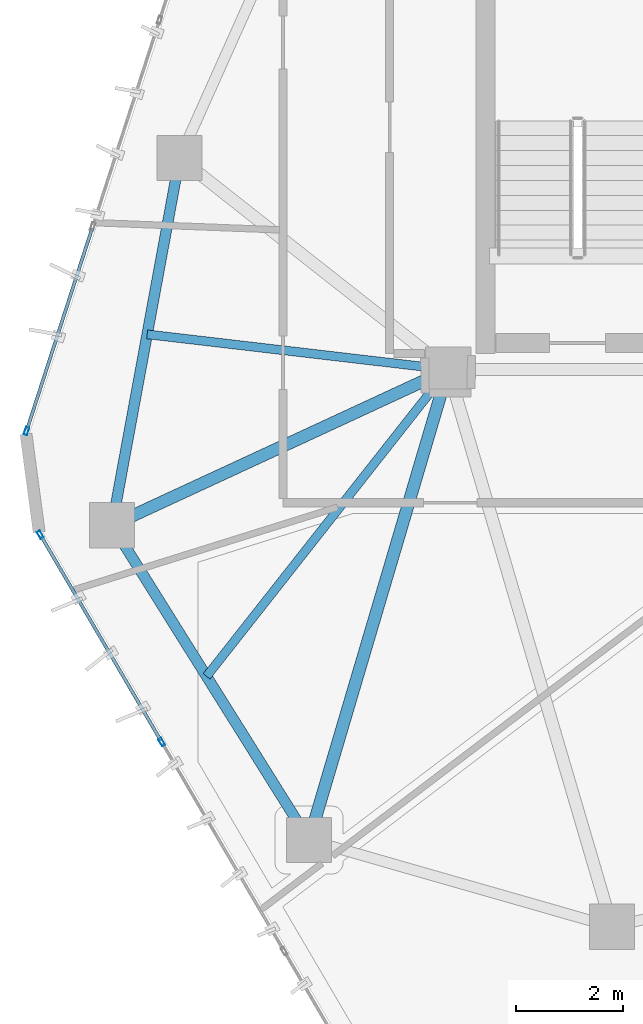
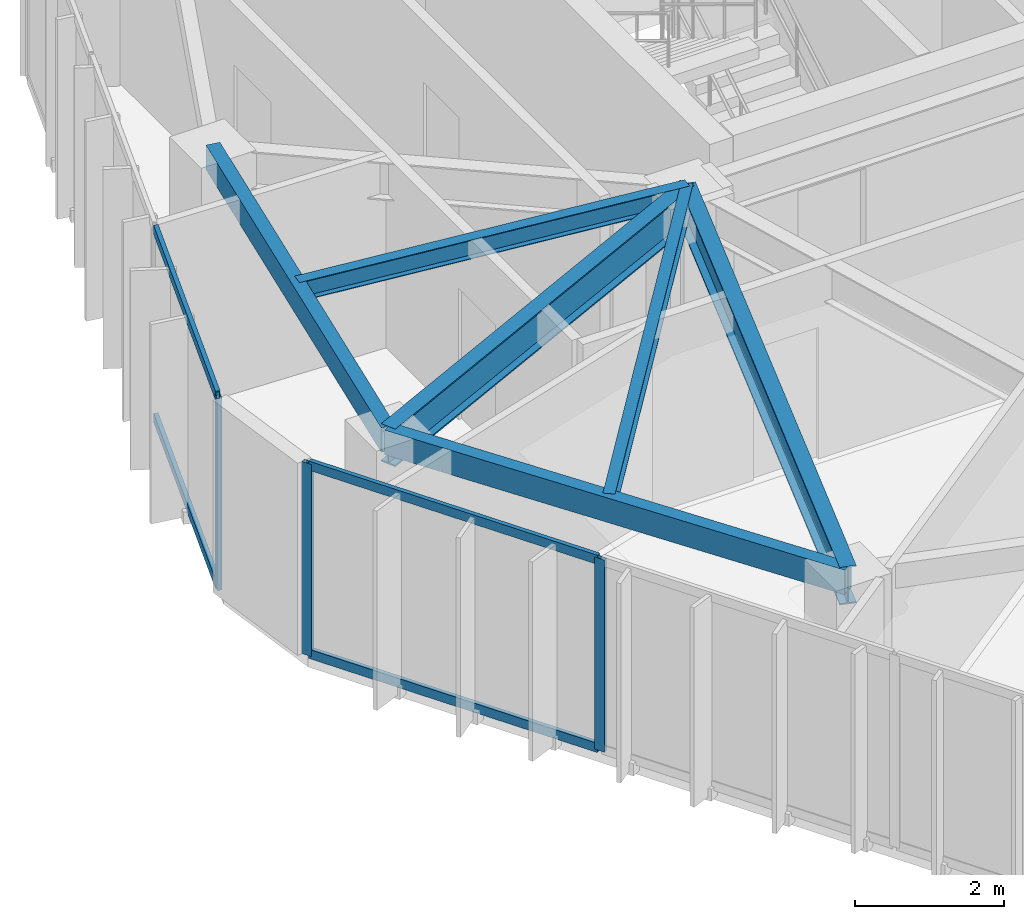
# One storey, part 4 of 20: 7 members, 6 beams, 2 elements without a shape of their own.
"""IFC4 building model written with IfcOpenShell, lengths in metres."""

from ifc_helpers import new_model, si_unit, direction, frame, origin, origin_2d, place, context, subcontext, project, spatial, hollow_rectangle, i_section, extrude, source, transform, mapped, material, layer, layer_set, material_profile, profile_set, type_object, type_shapes, element, aggregate, save


model = new_model("IFC4")

# Units and contexts
model_context = context("Model", 3, precision=1e-05, world=origin(), true_north=direction((0.0, 1.0)))
body_context = subcontext(model_context, "Body", "Model", "MODEL_VIEW")
ifc_project = project(units=[si_unit("LENGTHUNIT", "METRE"), si_unit("AREAUNIT", "SQUARE_METRE"), si_unit("VOLUMEUNIT", "CUBIC_METRE"), si_unit("PLANEANGLEUNIT", "RADIAN"), si_unit("MASSUNIT", "GRAM", prefix="KILO")], contexts=[model_context])

# Site, building, storey
site_placement = place(None, origin())
site = spatial("IfcSite", under=ifc_project, at=site_placement, CompositionType="ELEMENT")
building_placement = place(site_placement, origin())
building = spatial("IfcBuilding", under=site, at=building_placement, Name="Talar Marvaseh", CompositionType="ELEMENT")
storey_placement = place(building_placement, frame((0.0, 0.0, 261.199951171875)))
storey = spatial("IfcBuildingStorey", under=building, at=storey_placement, Name="L69", CompositionType="ELEMENT", Elevation=261.199951171875)

# Beams
ifc_material_1 = material(Name="Steel S355", Category="steel")
ifc_material_profile_1 = material_profile(ifc_material_1, hollow_rectangle(XDim=0.199951171875, YDim=0.39990234375, WallThickness=0.013916015625, at=origin_2d()), Name="RHS400x200x14")
ifc_profile_set_1 = profile_set([ifc_material_profile_1], Name="Steel S355")
beam_type_1 = type_object("IfcBeamType", Name="Zone 3 Perimeter Spandrel Beam RHS400x200x14", PredefinedType="SPANDREL", material=ifc_profile_set_1)
beam_1_placement = place(storey_placement, frame((12.388916015625, 22.576904296875, 2.93994140625), z_axis=(0.18106135948, 0.983471801377, 0.0), x_axis=(-0.983471801377, 0.18106135948, 0.0)))
element("IfcBeam", 1, at=beam_1_placement, inside=storey, type_object=beam_type_1, Name="L69 Zone 3 Perimeter Spandrel Beam RHS400x200x14", PredefinedType="SPANDREL", context=body_context, shape_type="SweptSolid", body=[
    extrude(hollow_rectangle(XDim=0.199951171875, YDim=0.39990234375, WallThickness=0.013916015625, at=origin_2d()), origin(), (0.0, 0.0, 1.0), 7.0087890625),
])
beam_2_placement = place(storey_placement, frame((16.0869140625, 16.66796875, 2.93994140625), z_axis=(-0.530505706813, 0.847681364098, 0.0), x_axis=(-0.847681364098, -0.530505706813, 0.0)))
element("IfcBeam", 2, at=beam_2_placement, inside=storey, type_object=beam_type_1, Name="L69 Zone 3 Perimeter Spandrel Beam RHS400x200x14", PredefinedType="SPANDREL", context=body_context, shape_type="SweptSolid", body=[
    extrude(hollow_rectangle(XDim=0.199951171875, YDim=0.39990234375, WallThickness=0.013916015625, at=origin_2d()), origin(), (0.0, 0.0, 1.0), 6.970703125),
])
ifc_material_profile_2 = material_profile(ifc_material_1, i_section(OverallWidth=0.166015625, OverallDepth=0.31298828125, WebThickness=0.006591796875, FlangeThickness=0.01123046875, at=origin_2d()), Name="W310x45")
ifc_profile_set_2 = profile_set([ifc_material_profile_2], Name="Steel S355")
beam_type_2 = type_object("IfcBeamType", Name="Zone 3 Secondary Floor Joist W310x45", PredefinedType="JOIST", material=ifc_profile_set_2)
beam_3_placement = place(storey_placement, frame((13.048828125, 26.161376953125, 2.983642578125), z_axis=(0.993221011039, -0.116241228622, 0.0), x_axis=(0.116241228622, 0.993221011039, 0.0)))
element("IfcBeam", 3, at=beam_3_placement, inside=storey, type_object=beam_type_2, Name="L69 Zone 3 Secondary Floor Joist W310x45", PredefinedType="JOIST", context=body_context, shape_type="SweptSolid", body=[
    extrude(i_section(OverallWidth=0.166015625, OverallDepth=0.31298828125, WebThickness=0.006591796875, FlangeThickness=0.01123046875, at=origin_2d()), origin(), (0.0, 0.0, 1.0), 5.689697265625),
])
beam_4_placement = place(storey_placement, frame((14.1640625, 19.74072265625, 2.983642578125), z_axis=(0.618727137907, 0.785605962819, 0.0), x_axis=(-0.785605962819, 0.618727137907, 0.0)))
element("IfcBeam", 4, at=beam_4_placement, inside=storey, type_object=beam_type_2, Name="L69 Zone 3 Secondary Floor Joist W310x45", PredefinedType="JOIST", context=body_context, shape_type="SweptSolid", body=[
    extrude(i_section(OverallWidth=0.166015625, OverallDepth=0.31298828125, WebThickness=0.006591796875, FlangeThickness=0.01123046875, at=origin_2d()), origin(), (0.0, 0.0, 1.0), 7.3310546875),
])
ifc_material_profile_3 = material_profile(ifc_material_1, i_section(OverallWidth=0.22998046875, OverallDepth=0.616943359375, WebThickness=0.01318359375, FlangeThickness=0.022216796875, at=origin_2d()), Name="W610x140")
ifc_profile_set_3 = profile_set([ifc_material_profile_3], Name="Steel S355")
beam_type_3 = type_object("IfcBeamType", Name="Zone 4 Radial Floor Girder W610x140", PredefinedType="BEAM", material=ifc_profile_set_3)
beam_5_placement = place(storey_placement, frame((12.388916015625, 22.576904296875, 2.83154296875), z_axis=(0.907394527995, 0.420279871709, 0.0), x_axis=(-0.420279871709, 0.907394527995, 0.0)))
element("IfcBeam", 5, at=beam_5_placement, inside=storey, type_object=beam_type_3, Name="L69 Zone 4 Radial Floor Girder W610x140", PredefinedType="BEAM", context=body_context, shape_type="SweptSolid", body=[
    extrude(i_section(OverallWidth=0.22998046875, OverallDepth=0.616943359375, WebThickness=0.01318359375, FlangeThickness=0.022216796875, at=origin_2d()), origin(), (0.0, 0.0, 1.0), 6.955078125),
])
beam_6_placement = place(storey_placement, frame((16.0869140625, 16.66796875, 2.83154296875), z_axis=(0.283702937759, 0.958912218666, 0.0), x_axis=(-0.958912218666, 0.283702937759, 0.0)))
element("IfcBeam", 6, at=beam_6_placement, inside=storey, type_object=beam_type_3, Name="L69 Zone 4 Radial Floor Girder W610x140", PredefinedType="BEAM", context=body_context, shape_type="SweptSolid", body=[
    extrude(i_section(OverallWidth=0.22998046875, OverallDepth=0.616943359375, WebThickness=0.01318359375, FlangeThickness=0.022216796875, at=origin_2d()), origin(), (0.0, 0.0, 1.0), 9.21044921875),
])

# Curtain wall, members
ifc_material_2 = material(Name="Architectural Aluminium", Category="aluminium")
ifc_layer = layer(ifc_material_2, 0.179931640625)
ifc_layer_set = layer_set([ifc_layer], Name="Architectural Aluminium")
curtain_wall_type = type_object("IfcCurtainWallType", Name="Unitised High-Wind Sky Curtain Wall Z4", PredefinedType="NOTDEFINED", material=ifc_layer_set)
curtain_wall_1_placement = place(storey_placement, origin())
curtain_wall_1 = element("IfcCurtainWall", 7, at=curtain_wall_1_placement, inside=storey, type_object=curtain_wall_type, Name="L69 Unitised High-Wind Sky Curtain Wall Z4", PredefinedType="NOTDEFINED")
ifc_material_profile_4 = material_profile(ifc_material_2, hollow_rectangle(XDim=0.06494140625, YDim=0.14990234375, WallThickness=0.00390625, at=origin_2d()), Name="RHS150x65x4")
ifc_profile_set_4 = profile_set([ifc_material_profile_4], Name="Architectural Aluminium")
member_type_1 = type_object("IfcMemberType", Name="Unitised Curtain Wall Slim Transom RHS150x65x4", PredefinedType="USERDEFINED", material=ifc_profile_set_4)
shared_shape_1 = source(origin(), body_context, "Body", "SweptSolid", [
    extrude(hollow_rectangle(XDim=0.06494140625, YDim=0.14990234375, WallThickness=0.00390625, at=origin_2d()), origin(), (0.0, 0.0, 1.0), 4.447265625),
])
member_1_placement = place(storey_placement, frame((13.306884765625, 18.533935546875, 0.032470703125), z_axis=(-0.505222082809, 0.862989366703, 0.0), x_axis=(-0.862989366703, -0.505222082809, 0.0)))
member_1 = element("IfcMember", 8, at=member_1_placement, type_object=member_type_1, Name="CW-Z4 transom 3.1", ObjectType="TRANSOM", PredefinedType="USERDEFINED", context=body_context, shape_type="MappedRepresentation", body=[
    mapped(shared_shape_1, transform((0.0, 0.0, 0.0), x_axis=(1.0, 0.0, 0.0), y_axis=(0.0, 1.0, 0.0), z_axis=(0.0, 0.0, 1.0), scale=1.0)),
])
member_2_placement = place(storey_placement, frame((13.306884765625, 18.533935546875, 3.107666015625), z_axis=(-0.505222082809, 0.862989366703, 0.0), x_axis=(-0.862989366703, -0.505222082809, 0.0)))
member_2 = element("IfcMember", 9, at=member_2_placement, type_object=member_type_1, Name="CW-Z4 transom 3.2", ObjectType="TRANSOM", PredefinedType="USERDEFINED", context=body_context, shape_type="MappedRepresentation", body=[
    mapped(shared_shape_1, transform((0.0, 0.0, 0.0), x_axis=(1.0, 0.0, 0.0), y_axis=(0.0, 1.0, 0.0), z_axis=(0.0, 0.0, 1.0), scale=1.0)),
])

curtain_wall_2_placement = place(storey_placement, origin())
curtain_wall_2 = element("IfcCurtainWall", 10, at=curtain_wall_2_placement, inside=storey, type_object=curtain_wall_type, Name="L69 Unitised High-Wind Sky Curtain Wall Z4", PredefinedType="NOTDEFINED")
shared_shape_2 = source(origin(), body_context, "Body", "SweptSolid", [
    extrude(hollow_rectangle(XDim=0.06494140625, YDim=0.14990234375, WallThickness=0.00390625, at=origin_2d()), origin(), (0.0, 0.0, 1.0), 3.97119140625),
])
type_shapes(member_type_1, [shared_shape_1, shared_shape_2])
member_3_placement = place(storey_placement, frame((10.79541015625, 24.378662109375, 0.032470703125), z_axis=(0.307934859243, 0.95140744293, 0.0), x_axis=(-0.95140744293, 0.307934859243, 0.0)))
member_3 = element("IfcMember", 11, at=member_3_placement, type_object=member_type_1, Name="CW-Z4 transom 1.1", ObjectType="TRANSOM", PredefinedType="USERDEFINED", context=body_context, shape_type="MappedRepresentation", body=[
    mapped(shared_shape_2, transform((0.0, 0.0, 0.0), x_axis=(1.0, 0.0, 0.0), y_axis=(0.0, 1.0, 0.0), z_axis=(0.0, 0.0, 1.0), scale=1.0)),
])
member_4_placement = place(storey_placement, frame((10.79541015625, 24.378662109375, 3.107666015625), z_axis=(0.307934859243, 0.95140744293, 0.0), x_axis=(-0.95140744293, 0.307934859243, 0.0)))
member_4 = element("IfcMember", 12, at=member_4_placement, type_object=member_type_1, Name="CW-Z4 transom 1.2", ObjectType="TRANSOM", PredefinedType="USERDEFINED", context=body_context, shape_type="MappedRepresentation", body=[
    mapped(shared_shape_2, transform((0.0, 0.0, 0.0), x_axis=(1.0, 0.0, 0.0), y_axis=(0.0, 1.0, 0.0), z_axis=(0.0, 0.0, 1.0), scale=1.0)),
])

# Member
ifc_material_profile_5 = material_profile(ifc_material_2, hollow_rectangle(XDim=0.06494140625, YDim=0.14990234375, WallThickness=0.00390625, at=origin_2d()), Name="RHS150x65x4")
ifc_profile_set_5 = profile_set([ifc_material_profile_5], Name="Architectural Aluminium")
member_type_2 = type_object("IfcMemberType", Name="Unitised Curtain Wall Slim Mullion RHS150x65x4", PredefinedType="MULLION", material=ifc_profile_set_5)
shared_shape_3 = source(origin(), body_context, "Body", "SweptSolid", [
    extrude(hollow_rectangle(XDim=0.06494140625, YDim=0.14990234375, WallThickness=0.00390625, at=origin_2d()), origin(), (0.0, 0.0, 1.0), 3.14013671875),
])
type_shapes(member_type_2, [shared_shape_3])
member_5_placement = place(storey_placement, frame((13.323486328125, 18.505859375, 0.0), z_axis=(0.0, 0.0, 1.0), x_axis=(-0.862990993638, -0.505219303768, 0.0)))
member_5 = element("IfcMember", 13, at=member_5_placement, type_object=member_type_2, Name="CW-Z4 mullion 3", PredefinedType="MULLION", context=body_context, shape_type="MappedRepresentation", body=[
    mapped(shared_shape_3, transform((0.0, 0.0, 0.0), x_axis=(1.0, 0.0, 0.0), y_axis=(0.0, 1.0, 0.0), z_axis=(0.0, 0.0, 1.0), scale=1.0)),
])

member_6_placement = place(storey_placement, frame((11.043701171875, 22.39990234375, 0.0), z_axis=(0.0, 0.0, 1.0), x_axis=(-0.862990993638, -0.505219303768, 0.0)))
member_6 = element("IfcMember", 14, at=member_6_placement, type_object=member_type_2, Name="CW-Z4 mullion 4", PredefinedType="MULLION", context=body_context, shape_type="MappedRepresentation", body=[
    mapped(shared_shape_3, transform((0.0, 0.0, 0.0), x_axis=(1.0, 0.0, 0.0), y_axis=(0.0, 1.0, 0.0), z_axis=(0.0, 0.0, 1.0), scale=1.0)),
])

aggregate(curtain_wall_1, [member_5, member_6, member_1, member_2])

member_7_placement = place(storey_placement, frame((10.785400390625, 24.34765625, 0.0), z_axis=(0.0, 0.0, 1.0), x_axis=(-0.951422427346, 0.307888558966, 0.0)))
member_7 = element("IfcMember", 15, at=member_7_placement, type_object=member_type_2, Name="CW-Z4 mullion 1", PredefinedType="MULLION", context=body_context, shape_type="MappedRepresentation", body=[
    mapped(shared_shape_3, transform((0.0, 0.0, 0.0), x_axis=(1.0, 0.0, 0.0), y_axis=(0.0, 1.0, 0.0), z_axis=(0.0, 0.0, 1.0), scale=1.0)),
])

aggregate(curtain_wall_2, [member_7, member_3, member_4])

save(model, "model.ifc")
